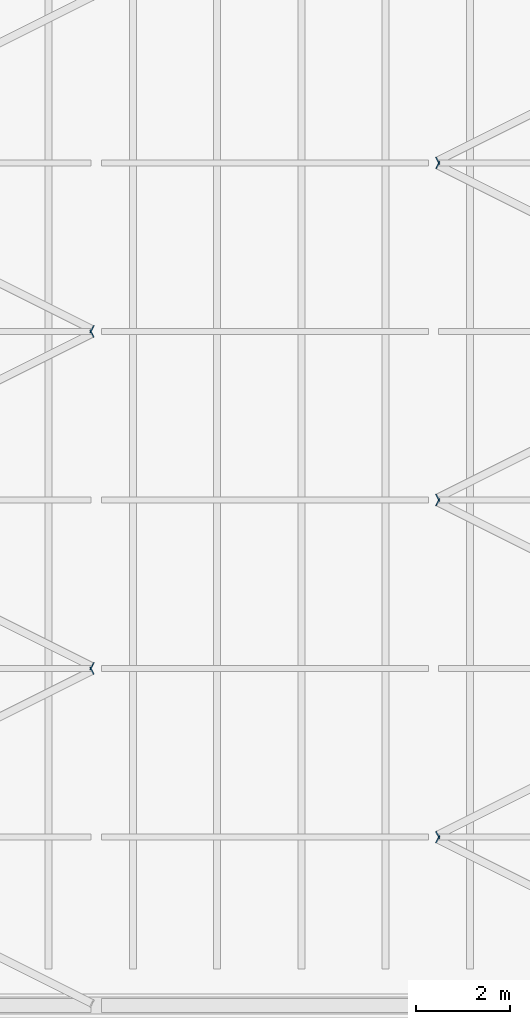
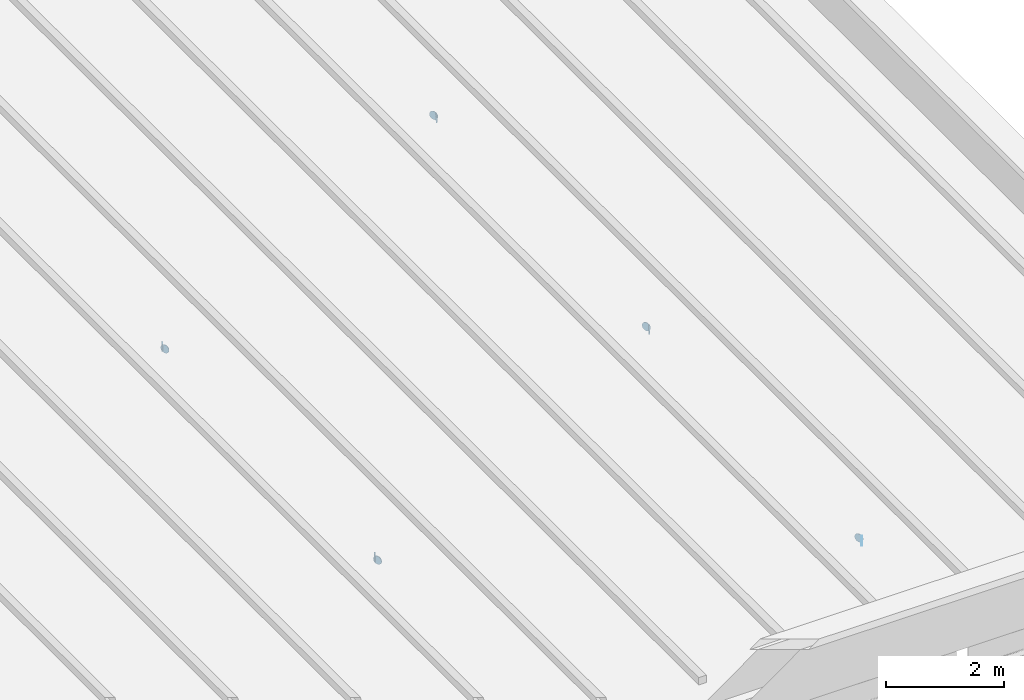
# One storey, part 75 of 110: 10 discrete accessories.
"""IFC4 building model written with IfcOpenShell, lengths in metres."""

from ifc_helpers import new_model, si_unit, direction, frame, origin, origin_2d, place, context, subcontext, project, spatial, circle, extrude, material, layer, layer_set, type_object, element, save


model = new_model("IFC4")

# Units and contexts
model_context = context("Model", 3, precision=1e-05, world=origin(), true_north=direction((0.0, 1.0)))
body_context = subcontext(model_context, "Body", "Model", "MODEL_VIEW")
ifc_project = project(units=[si_unit("LENGTHUNIT", "METRE"), si_unit("AREAUNIT", "SQUARE_METRE"), si_unit("VOLUMEUNIT", "CUBIC_METRE"), si_unit("PLANEANGLEUNIT", "RADIAN"), si_unit("MASSUNIT", "GRAM", prefix="KILO")], contexts=[model_context])

# Site, building, storey
site_placement = place(None, origin())
site = spatial("IfcSite", under=ifc_project, at=site_placement, CompositionType="ELEMENT")
building_placement = place(site_placement, origin())
building = spatial("IfcBuilding", under=site, at=building_placement, Name="Kupolbacken Congress Centre", CompositionType="ELEMENT")
storey_placement = place(building_placement, frame((0.0, 0.0, 18.0)))
storey = spatial("IfcBuildingStorey", under=building, at=storey_placement, Name="L05", CompositionType="ELEMENT", Elevation=18.0)

# Discrete accessories
ifc_material = material(Name="Steel S355", Category="steel")
ifc_layer = layer(ifc_material, 0.011962890625)
ifc_layer_set = layer_set([ifc_layer], Name="Steel S355")
discrete_accessory_type = type_object("IfcDiscreteAccessoryType", Name="EC2 tube end cap plate 168 dia x 12", PredefinedType="BRACKET", material=ifc_layer_set)
for number, where, z_axis, x_axis, name in (
    (1, (187.1015625, 129.55078125, -0.084228515625), (0.894427191, 0.4472135955, 0.0), (-0.4472135955, 0.894427191, 0.0), "End cap plate BR/RB/05-01 B"),
    (2, (187.1015625, 129.649169921875, -0.084228515625), (0.894427191, -0.4472135955, 0.0), (0.4472135955, 0.894427191, 0.0), "End cap plate BR/RB/05-02 A"),
    (3, (187.1015625, 136.750732421875, -0.084228515625), (0.894427191, 0.4472135955, 0.0), (-0.4472135955, 0.894427191, 0.0), "End cap plate BR/RB/05-03 B"),
    (4, (187.1015625, 136.84912109375, -0.084228515625), (0.894427191, -0.4472135955, 0.0), (0.4472135955, 0.894427191, 0.0), "End cap plate BR/RB/05-04 A"),
    (5, (194.498291015625, 125.95068359375, -0.084228515625), (-0.881784641935, 0.471652250337, 0.0), (-0.471652250337, -0.881784641935, 0.0), "End cap plate BR/RB/07-00 B"),
    (6, (194.498291015625, 126.04931640625, -0.084228515625), (-0.881784641935, -0.471652250337, 0.0), (0.471652250337, -0.881784641935, 0.0), "End cap plate BR/RB/07-01 A"),
):
    element("IfcDiscreteAccessory", number, at=place(storey_placement, frame(where, z_axis=z_axis, x_axis=x_axis)), inside=storey, type_object=discrete_accessory_type, Name=name, PredefinedType="BRACKET", context=body_context, shape_type="SweptSolid", body=[
        extrude(circle(Radius=0.084228515625, at=origin_2d()), origin(), (0.0, 0.0, 1.0), 0.011962890625),
    ])
for number, where, z_axis, x_axis, name in (
    (7, (194.498291015625, 133.15087890625, -0.084228515625), (-0.890248162977, 0.455475804314, 0.0), (-0.455475804314, -0.890248162977, 0.0), "End cap plate BR/RB/07-02 B"),
    (8, (194.498291015625, 133.249267578125, -0.084228515625), (-0.890248162977, -0.455475804314, 0.0), (0.455475804314, -0.890248162977, 0.0), "End cap plate BR/RB/07-03 A"),
    (9, (194.498291015625, 140.350830078125, -0.084228515625), (-0.890248162977, 0.455475804314, 0.0), (-0.455475804314, -0.890248162977, 0.0), "End cap plate BR/RB/07-04 B"),
    (10, (194.498291015625, 140.44921875, -0.084228515625), (-0.890248162977, -0.455475804314, 0.0), (0.455475804314, -0.890248162977, 0.0), "End cap plate BR/RB/07-05 A"),
):
    element("IfcDiscreteAccessory", number, at=place(storey_placement, frame(where, z_axis=z_axis, x_axis=x_axis)), inside=storey, type_object=discrete_accessory_type, Name=name, PredefinedType="BRACKET", context=body_context, shape_type="SweptSolid", body=[
        extrude(circle(Radius=0.084228515625, at=origin_2d()), origin(), (0.0, 0.0, 1.0), 0.01171875),
    ])

save(model, "model.ifc")
